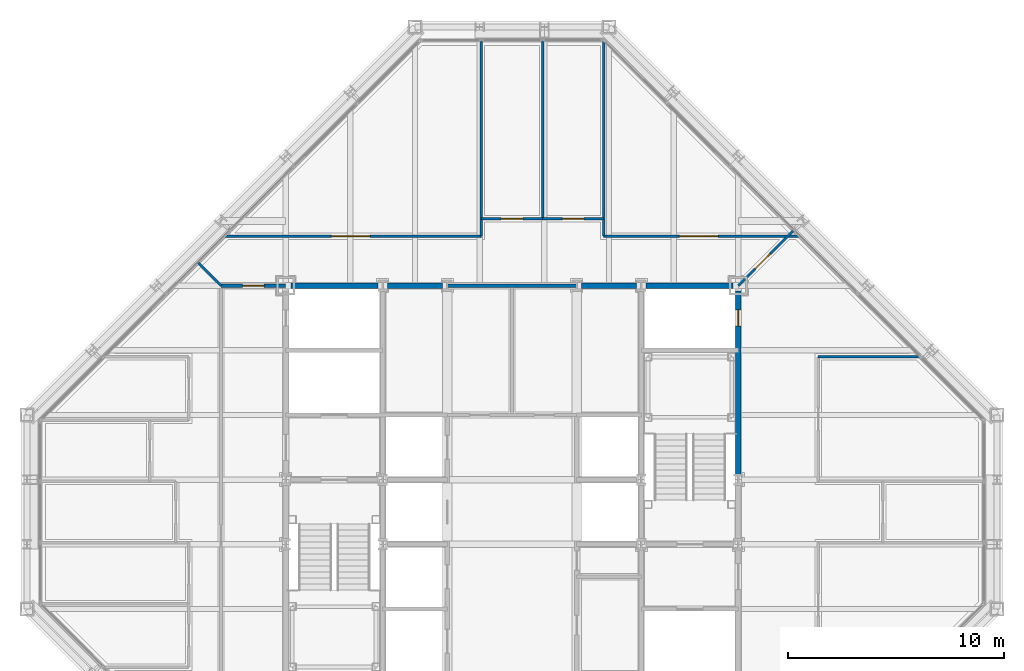
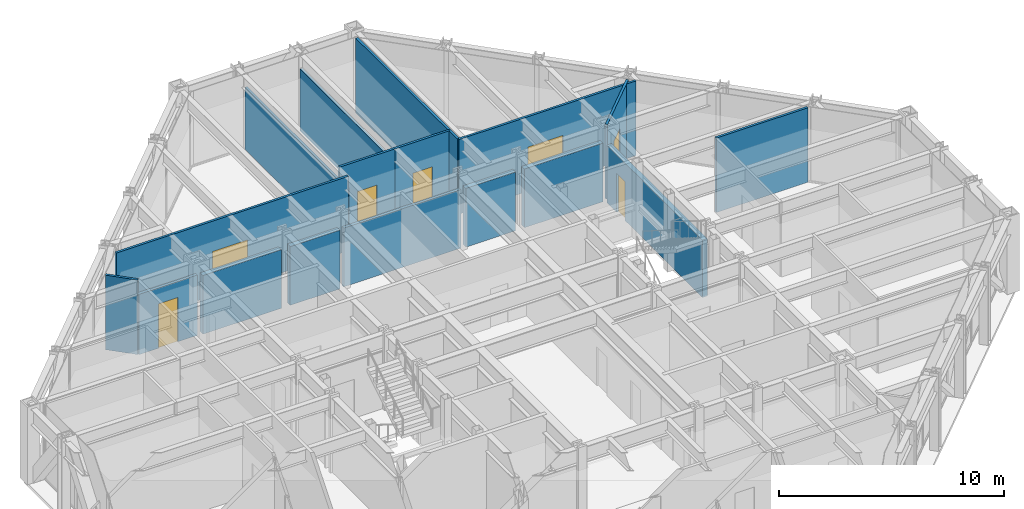
# One storey, part 12 of 15: 17 walls, 7 doors, 7 openings.
"""IFC4 building model written with IfcOpenShell, lengths in metres."""

from ifc_helpers import new_model, si_unit, direction, frame, frame_2d, origin, place, context, subcontext, project, spatial, rectangle, extrude, material, layer, layer_set, type_object, element, fill, save


model = new_model("IFC4")

# Units and contexts
model_context = context("Model", 3, precision=1e-05, world=origin(), true_north=direction((0.0, 1.0)))
body_context = subcontext(model_context, "Body", "Model", "MODEL_VIEW")
ifc_project = project(units=[si_unit("LENGTHUNIT", "METRE"), si_unit("AREAUNIT", "SQUARE_METRE"), si_unit("VOLUMEUNIT", "CUBIC_METRE"), si_unit("PLANEANGLEUNIT", "RADIAN"), si_unit("MASSUNIT", "GRAM", prefix="KILO")], contexts=[model_context])

# Site, building, storey
site_placement = place(None, origin())
site = spatial("IfcSite", under=ifc_project, at=site_placement, CompositionType="ELEMENT")
building_placement = place(site_placement, origin())
building = spatial("IfcBuilding", under=site, at=building_placement, Name="Chuquiago Exchange Tower", CompositionType="ELEMENT")
storey_placement = place(building_placement, frame((0.0, 0.0, 274.800048828125)))
storey = spatial("IfcBuildingStorey", under=building, at=storey_placement, Name="L61", CompositionType="ELEMENT", Elevation=274.800048828125)

# Walls
ifc_material_1 = material(Name="Concrete masonry, fully grouted", Category="masonry")
ifc_layer_1 = layer(ifc_material_1, 0.25)
ifc_layer_set_1 = layer_set([ifc_layer_1], Name="W1 core wall 250")
wall_type_1 = type_object("IfcWallType", Name="W1 core wall 250", PredefinedType="SOLIDWALL", material=ifc_layer_set_1)
wall_1_placement = place(storey_placement, frame((12.25, 33.0, 0.0), z_axis=(0.0, 0.0, 1.0), x_axis=(1.0, 0.0, 0.0)))
element("IfcWall", 1, at=wall_1_placement, inside=storey, type_object=wall_type_1, Name="CW-L61-11-0", PredefinedType="SOLIDWALL", context=body_context, shape_type="SweptSolid", body=[
    extrude(rectangle(XDim=4.025146484375, YDim=0.25, at=frame_2d((2.0126953125, 0.0))), origin(), (0.0, 0.0, 1.0), 3.181396484375),
])
for number, where, z_axis, x_axis, name in (
    (2, (16.724853515625, 33.0, 0.0), (0.0, 0.0, 1.0), (1.0, 0.0, 0.0), "CW-L61-11-1"),
    (3, (25.724853515625, 33.0, 0.0), (0.0, 0.0, 1.0), (1.0, 0.0, 0.0), "CW-L61-12-0"),
):
    element("IfcWall", number, at=place(storey_placement, frame(where, z_axis=z_axis, x_axis=x_axis)), inside=storey, type_object=wall_type_1, Name=name, PredefinedType="SOLIDWALL", context=body_context, shape_type="SweptSolid", body=[
        extrude(rectangle(XDim=2.55029296875, YDim=0.25, at=frame_2d((1.275146484375, 0.0))), origin(), (0.0, 0.0, 1.0), 3.181396484375),
    ])
wall_2_placement = place(storey_placement, frame((28.724853515625, 33.0, 0.0), z_axis=(0.0, 0.0, 1.0), x_axis=(1.0, 0.0, 0.0)))
element("IfcWall", 4, at=wall_2_placement, inside=storey, type_object=wall_type_1, Name="CW-L61-12-1", PredefinedType="SOLIDWALL", context=body_context, shape_type="SweptSolid", body=[
    extrude(rectangle(XDim=4.025146484375, YDim=0.25, at=frame_2d((2.0126953125, 0.0))), origin(), (0.0, 0.0, 1.0), 3.181396484375),
])

# Wall, opening, door
wall_3_placement = place(storey_placement, frame((33.0, 24.25, 0.0), z_axis=(0.0, 0.0, 1.0), x_axis=(0.0, 1.0, 0.0)))
wall_3 = element("IfcWall", 5, at=wall_3_placement, inside=storey, type_object=wall_type_1, Name="CW-L61-25-2", PredefinedType="SOLIDWALL", context=body_context, shape_type="SweptSolid", body=[
    extrude(rectangle(XDim=8.5, YDim=0.25, at=frame_2d((4.25, 0.0))), origin(), (0.0, 0.0, 1.0), 3.11279296875),
])
opening_1_placement = place(wall_3_placement, frame((6.875, 0.0, 0.0)))
opening_1 = element("IfcOpeningElement", 6, at=opening_1_placement, cuts=wall_3, Name="Opening L61-010", PredefinedType="OPENING", context=body_context, shape_type="SweptSolid", body=[
    extrude(rectangle(XDim=0.75, YDim=2.10009765625, at=frame_2d((0.375, 1.050048828125))), frame((0.0, 0.135009765625, 0.0), z_axis=(0.0, -1.0, 0.0), x_axis=(1.0, 0.0, 0.0)), (0.0, 0.0, 1.0), 0.27001953125),
])
ifc_material_2 = material(Name="Steel door, painted", Category="steel")
door_type_1 = type_object("IfcDoorType", Name="D6 riser access door 750x2100", OperationType="SINGLE_SWING_LEFT", PredefinedType="DOOR", material=ifc_material_2)
door_1_placement = place(opening_1_placement, frame((0.75, 0.0, 0.0), z_axis=(0.0, 0.0, 1.0), x_axis=(-1.0, 0.0, 0.0)))
door_1 = element("IfcDoor", 7, at=door_1_placement, inside=storey, type_object=door_type_1, Name="Riser RE2 door", OperationType="SINGLE_SWING_LEFT", OverallHeight=2.10009765625, OverallWidth=0.75, PredefinedType="DOOR", context=body_context, shape_type="SweptSolid", body=[
    extrude(rectangle(XDim=0.75, YDim=2.10009765625, at=frame_2d((0.375, 1.050048828125))), frame((0.0, 0.02490234375, 0.0), z_axis=(0.0, -1.0, 0.0), x_axis=(1.0, 0.0, 0.0)), (0.0, 0.0, 1.0), 0.050048828125),
])
fill(opening_1, door_1)

ifc_material_3 = material(Name="Gypsum board on steel studs, acoustic insulation", Category="steel")
ifc_layer_2 = layer(ifc_material_3, 0.14990234375)
ifc_layer_set_2 = layer_set([ifc_layer_2], Name="W11 corridor wall 150")
wall_type_2 = type_object("IfcWallType", Name="W11 corridor wall 150", PredefinedType="PARTITIONING", material=ifc_layer_set_2)
wall_4_placement = place(storey_placement, frame((9.0, 33.0, 0.0), z_axis=(0.0, 0.0, 1.0), x_axis=(1.0, 0.0, 0.0)))
wall_4 = element("IfcWall", 8, at=wall_4_placement, inside=storey, type_object=wall_type_2, Name="PW-L61-GWN0", PredefinedType="PARTITIONING", context=body_context, shape_type="SweptSolid", body=[
    extrude(rectangle(XDim=3.0, YDim=0.14990234375, at=frame_2d((1.5, 0.0))), origin(), (0.0, 0.0, 1.0), 3.270263671875),
])
opening_2_placement = place(wall_4_placement, frame((1.0, 0.0, 0.0)))
opening_2 = element("IfcOpeningElement", 9, at=opening_2_placement, cuts=wall_4, Name="Opening L61-040", PredefinedType="OPENING", context=body_context, shape_type="SweptSolid", body=[
    extrude(rectangle(XDim=1.0, YDim=2.39990234375, at=frame_2d((0.5, 1.199951171875))), frame((0.0, 0.0849609375, 0.0), z_axis=(0.0, -1.0, 0.0), x_axis=(1.0, 0.0, 0.0)), (0.0, 0.0, 1.0), 0.169921875),
])
ifc_material_4 = material(Name="Timber door, laminate faced", Category="wood")
door_type_2 = type_object("IfcDoorType", Name="D9 room door 1000x2400", OperationType="SINGLE_SWING_LEFT", PredefinedType="DOOR", material=ifc_material_4)
door_2_placement = place(opening_2_placement, origin())
door_2 = element("IfcDoor", 10, at=door_2_placement, inside=storey, type_object=door_type_2, Name="Team area door", OperationType="SINGLE_SWING_RIGHT", OverallHeight=2.39990234375, OverallWidth=1.0, PredefinedType="DOOR", context=body_context, shape_type="SweptSolid", body=[
    extrude(rectangle(XDim=1.0, YDim=2.39990234375, at=frame_2d((0.5, 1.199951171875))), frame((0.0, 0.02490234375, 0.0), z_axis=(0.0, -1.0, 0.0), x_axis=(1.0, 0.0, 0.0)), (0.0, 0.0, 1.0), 0.050048828125),
])
fill(opening_2, door_2)

# Walls
ifc_material_5 = material(Name="Gypsum board on steel studs", Category="steel")
ifc_layer_3 = layer(ifc_material_5, 0.14990234375)
ifc_layer_set_3 = layer_set([ifc_layer_3], Name="W3 core partition 150")
wall_type_3 = type_object("IfcWallType", Name="W3 core partition 150", PredefinedType="PARTITIONING", material=ifc_layer_set_3)
wall_5_placement = place(storey_placement, frame((19.5, 33.0, 0.0), z_axis=(0.0, 0.0, 1.0), x_axis=(1.0, 0.0, 0.0)))
element("IfcWall", 11, at=wall_5_placement, inside=storey, type_object=wall_type_3, Name="CW-L61-TB", PredefinedType="PARTITIONING", context=body_context, shape_type="SweptSolid", body=[
    extrude(rectangle(XDim=6.0, YDim=0.14990234375, at=frame_2d((3.0, 0.0))), origin(), (0.0, 0.0, 1.0), 3.181396484375),
])
ifc_material_6 = material(Name="Gypsum board on steel studs", Category="steel")
ifc_layer_4 = layer(ifc_material_6, 0.1201171875)
ifc_layer_set_4 = layer_set([ifc_layer_4], Name="W4 partition 120")
wall_type_4 = type_object("IfcWallType", Name="W4 partition 120", PredefinedType="PARTITIONING", material=ifc_layer_set_4)
wall_6_placement = place(storey_placement, frame((41.392578125, 29.69287109375, 0.0), z_axis=(0.0, 0.0, 1.0), x_axis=(-1.0, 0.0, 0.0)))
element("IfcWall", 12, at=wall_6_placement, inside=storey, type_object=wall_type_4, Name="PW-L61-E02969", PredefinedType="PARTITIONING", context=body_context, shape_type="SweptSolid", body=[
    extrude(rectangle(XDim=4.692626953125, YDim=0.1201171875, at=frame_2d((2.34619140625, 0.0))), origin(), (0.0, 0.0, 1.0), 4.0400390625),
])
wall_7_placement = place(storey_placement, frame((21.082763671875, 44.347412109375, 0.0), z_axis=(0.0, 0.0, 1.0), x_axis=(0.0, -1.0, 0.0)))
element("IfcWall", 13, at=wall_7_placement, inside=storey, type_object=wall_type_4, Name="PW-L61-N02108", PredefinedType="PARTITIONING", context=body_context, shape_type="SweptSolid", body=[
    extrude(rectangle(XDim=9.04736328125, YDim=0.1201171875, at=frame_2d((4.523681640625, 0.0))), origin(), (0.0, 0.0, 1.0), 3.356689453125),
])
wall_8_placement = place(storey_placement, frame((23.917236328125, 44.347412109375, 0.0), z_axis=(0.0, 0.0, 1.0), x_axis=(0.0, -1.0, 0.0)))
element("IfcWall", 14, at=wall_8_placement, inside=storey, type_object=wall_type_4, Name="PW-L61-N02392", PredefinedType="PARTITIONING", context=body_context, shape_type="SweptSolid", body=[
    extrude(rectangle(XDim=8.247314453125, YDim=0.1201171875, at=frame_2d((4.12353515625, 0.0))), origin(), (0.0, 0.0, 1.0), 3.356689453125),
])
wall_9_placement = place(storey_placement, frame((26.75146484375, 44.333984375, 0.0), z_axis=(0.0, 0.0, 1.0), x_axis=(0.0, -1.0, 0.0)))
element("IfcWall", 15, at=wall_9_placement, inside=storey, type_object=wall_type_4, Name="PW-L61-N02675", PredefinedType="PARTITIONING", context=body_context, shape_type="SweptSolid", body=[
    extrude(rectangle(XDim=9.033935546875, YDim=0.1201171875, at=frame_2d((4.51708984375, 0.0))), origin(), (0.0, 0.0, 1.0), 4.0400390625),
])

# Wall, opening, door
wall_10_placement = place(storey_placement, frame((9.185546875, 35.300048828125, 0.0), z_axis=(0.0, 0.0, 1.0), x_axis=(1.0, 0.0, 0.0)))
wall_10 = element("IfcWall", 16, at=wall_10_placement, inside=storey, type_object=wall_type_4, Name="PW-L61-NF00942", PredefinedType="PARTITIONING", context=body_context, shape_type="SweptSolid", body=[
    extrude(rectangle(XDim=11.897216796875, YDim=0.1201171875, at=frame_2d((5.94873046875, 0.0))), origin(), (0.0, 0.0, 1.0), 4.0400390625),
])
opening_3_placement = place(wall_10_placement, frame((4.92919921875, 0.0, 0.0)))
opening_3 = element("IfcOpeningElement", 17, at=opening_3_placement, cuts=wall_10, Name="Opening L61-029", PredefinedType="OPENING", context=body_context, shape_type="SweptSolid", body=[
    extrude(rectangle(XDim=1.800048828125, YDim=2.39990234375, at=frame_2d((0.89990234375, 1.199951171875))), frame((0.0, 0.070068359375, 0.0), z_axis=(0.0, -1.0, 0.0), x_axis=(1.0, 0.0, 0.0)), (0.0, 0.0, 1.0), 0.14013671875),
])
ifc_material_7 = material(Name="Timber door pair, laminate faced", Category="wood")
door_type_3 = type_object("IfcDoorType", Name="D15 double room door 1800x2400", OperationType="DOUBLE_DOOR_DOUBLE_SWING", PredefinedType="DOOR", material=ifc_material_7)
door_3_placement = place(opening_3_placement, origin())
door_3 = element("IfcDoor", 18, at=door_3_placement, inside=storey, type_object=door_type_3, Name="Training room door", OperationType="DOUBLE_DOOR_DOUBLE_SWING", OverallHeight=2.39990234375, OverallWidth=1.800048828125, PredefinedType="DOOR", context=body_context, shape_type="SweptSolid", body=[
    extrude(rectangle(XDim=1.800048828125, YDim=2.39990234375, at=frame_2d((0.89990234375, 1.199951171875))), frame((0.0, 0.02490234375, 0.0), z_axis=(0.0, -1.0, 0.0), x_axis=(1.0, 0.0, 0.0)), (0.0, 0.0, 1.0), 0.050048828125),
])
fill(opening_3, door_3)

wall_11_placement = place(storey_placement, frame((21.082763671875, 36.10009765625, 0.0), z_axis=(0.0, 0.0, 1.0), x_axis=(1.0, 0.0, 0.0)))
wall_11 = element("IfcWall", 19, at=wall_11_placement, inside=storey, type_object=wall_type_4, Name="PW-L61-NF02108", PredefinedType="PARTITIONING", context=body_context, shape_type="SweptSolid", body=[
    extrude(rectangle(XDim=2.83447265625, YDim=0.1201171875, at=frame_2d((1.417236328125, 0.0))), origin(), (0.0, 0.0, 1.0), 4.0400390625),
])
opening_4_placement = place(wall_11_placement, frame((0.917236328125, 0.0, 0.0)))
opening_4 = element("IfcOpeningElement", 20, at=opening_4_placement, cuts=wall_11, Name="Opening L61-030", PredefinedType="OPENING", context=body_context, shape_type="SweptSolid", body=[
    extrude(rectangle(XDim=1.0, YDim=2.39990234375, at=frame_2d((0.5, 1.199951171875))), frame((0.0, 0.070068359375, 0.0), z_axis=(0.0, -1.0, 0.0), x_axis=(1.0, 0.0, 0.0)), (0.0, 0.0, 1.0), 0.14013671875),
])
door_4_placement = place(opening_4_placement, origin())
door_4 = element("IfcDoor", 21, at=door_4_placement, inside=storey, type_object=door_type_2, Name="Office door", OperationType="SINGLE_SWING_LEFT", OverallHeight=2.39990234375, OverallWidth=1.0, PredefinedType="DOOR", context=body_context, shape_type="SweptSolid", body=[
    extrude(rectangle(XDim=1.0, YDim=2.39990234375, at=frame_2d((0.5, 1.199951171875))), frame((0.0, 0.02490234375, 0.0), z_axis=(0.0, -1.0, 0.0), x_axis=(1.0, 0.0, 0.0)), (0.0, 0.0, 1.0), 0.050048828125),
])
fill(opening_4, door_4)

wall_12_placement = place(storey_placement, frame((23.917236328125, 36.10009765625, 0.0), z_axis=(0.0, 0.0, 1.0), x_axis=(1.0, 0.0, 0.0)))
wall_12 = element("IfcWall", 22, at=wall_12_placement, inside=storey, type_object=wall_type_4, Name="PW-L61-NF02392", PredefinedType="PARTITIONING", context=body_context, shape_type="SweptSolid", body=[
    extrude(rectangle(XDim=2.834228515625, YDim=0.1201171875, at=frame_2d((1.4169921875, 0.0))), origin(), (0.0, 0.0, 1.0), 4.0400390625),
])
opening_5_placement = place(wall_12_placement, frame((0.9169921875, 0.0, 0.0)))
opening_5 = element("IfcOpeningElement", 23, at=opening_5_placement, cuts=wall_12, Name="Opening L61-031", PredefinedType="OPENING", context=body_context, shape_type="SweptSolid", body=[
    extrude(rectangle(XDim=1.0, YDim=2.39990234375, at=frame_2d((0.5, 1.199951171875))), frame((0.0, 0.070068359375, 0.0), z_axis=(0.0, -1.0, 0.0), x_axis=(1.0, 0.0, 0.0)), (0.0, 0.0, 1.0), 0.14013671875),
])
door_5_placement = place(opening_5_placement, origin())
door_5 = element("IfcDoor", 24, at=door_5_placement, inside=storey, type_object=door_type_2, Name="Office door", OperationType="SINGLE_SWING_LEFT", OverallHeight=2.39990234375, OverallWidth=1.0, PredefinedType="DOOR", context=body_context, shape_type="SweptSolid", body=[
    extrude(rectangle(XDim=1.0, YDim=2.39990234375, at=frame_2d((0.5, 1.199951171875))), frame((0.0, 0.02490234375, 0.0), z_axis=(0.0, -1.0, 0.0), x_axis=(1.0, 0.0, 0.0)), (0.0, 0.0, 1.0), 0.050048828125),
])
fill(opening_5, door_5)

wall_13_placement = place(storey_placement, frame((26.75146484375, 35.300048828125, 0.0), z_axis=(0.0, 0.0, 1.0), x_axis=(1.0, 0.0, 0.0)))
wall_13 = element("IfcWall", 25, at=wall_13_placement, inside=storey, type_object=wall_type_4, Name="PW-L61-NF02675", PredefinedType="PARTITIONING", context=body_context, shape_type="SweptSolid", body=[
    extrude(rectangle(XDim=9.06298828125, YDim=0.1201171875, at=frame_2d((4.531494140625, 0.0))), origin(), (0.0, 0.0, 1.0), 4.0400390625),
])
opening_6_placement = place(wall_13_placement, frame((3.51220703125, 0.0, 0.0)))
opening_6 = element("IfcOpeningElement", 26, at=opening_6_placement, cuts=wall_13, Name="Opening L61-032", PredefinedType="OPENING", context=body_context, shape_type="SweptSolid", body=[
    extrude(rectangle(XDim=1.800048828125, YDim=2.39990234375, at=frame_2d((0.89990234375, 1.199951171875))), frame((0.0, 0.070068359375, 0.0), z_axis=(0.0, -1.0, 0.0), x_axis=(1.0, 0.0, 0.0)), (0.0, 0.0, 1.0), 0.14013671875),
])
door_6_placement = place(opening_6_placement, origin())
door_6 = element("IfcDoor", 27, at=door_6_placement, inside=storey, type_object=door_type_3, Name="Broker lounge door", OperationType="DOUBLE_DOOR_DOUBLE_SWING", OverallHeight=2.39990234375, OverallWidth=1.800048828125, PredefinedType="DOOR", context=body_context, shape_type="SweptSolid", body=[
    extrude(rectangle(XDim=1.800048828125, YDim=2.39990234375, at=frame_2d((0.89990234375, 1.199951171875))), frame((0.0, 0.02490234375, 0.0), z_axis=(0.0, -1.0, 0.0), x_axis=(1.0, 0.0, 0.0)), (0.0, 0.0, 1.0), 0.050048828125),
])
fill(opening_6, door_6)

wall_14_placement = place(storey_placement, frame((33.0, 33.0, 0.0), z_axis=(0.0, 0.0, 1.0), x_axis=(0.707106781187, 0.707106781187, 0.0)))
wall_14 = element("IfcWall", 28, at=wall_14_placement, inside=storey, type_object=wall_type_4, Name="PW-L61-QNE", PredefinedType="PARTITIONING", context=body_context, shape_type="SweptSolid", body=[
    extrude(rectangle(XDim=3.590087890625, YDim=0.1201171875, at=frame_2d((1.794921875, 0.0))), origin(), (0.0, 0.0, 1.0), 4.0400390625),
])
opening_7_placement = place(wall_14_placement, frame((1.10009765625, 0.0, 0.0)))
opening_7 = element("IfcOpeningElement", 29, at=opening_7_placement, cuts=wall_14, Name="Opening L61-042", PredefinedType="OPENING", context=body_context, shape_type="SweptSolid", body=[
    extrude(rectangle(XDim=1.0, YDim=2.39990234375, at=frame_2d((0.5, 1.199951171875))), frame((0.0, 0.070068359375, 0.0), z_axis=(0.0, -1.0, 0.0), x_axis=(1.0, 0.0, 0.0)), (0.0, 0.0, 1.0), 0.14013671875),
])
door_7_placement = place(opening_7_placement, origin())
door_7 = element("IfcDoor", 30, at=door_7_placement, inside=storey, type_object=door_type_2, Name="Team area door", OperationType="SINGLE_SWING_LEFT", OverallHeight=2.39990234375, OverallWidth=1.0, PredefinedType="DOOR", context=body_context, shape_type="SweptSolid", body=[
    extrude(rectangle(XDim=1.0, YDim=2.39990234375, at=frame_2d((0.5, 1.199951171875))), frame((0.0, 0.02490234375, 0.0), z_axis=(0.0, -1.0, 0.0), x_axis=(1.0, 0.0, 0.0)), (0.0, 0.0, 1.0), 0.050048828125),
])
fill(opening_7, door_7)

# Wall
wall_15_placement = place(storey_placement, frame((9.0, 33.0, 0.0), z_axis=(0.0, 0.0, 1.0), x_axis=(-0.707106781187, 0.707106781187, 0.0)))
element("IfcWall", 31, at=wall_15_placement, inside=storey, type_object=wall_type_4, Name="PW-L61-QNW", PredefinedType="PARTITIONING", context=body_context, shape_type="SweptSolid", body=[
    extrude(rectangle(XDim=1.4892578125, YDim=0.1201171875, at=frame_2d((0.74462890625, 0.0))), origin(), (0.0, 0.0, 1.0), 4.0400390625),
])

save(model, "model.ifc")
